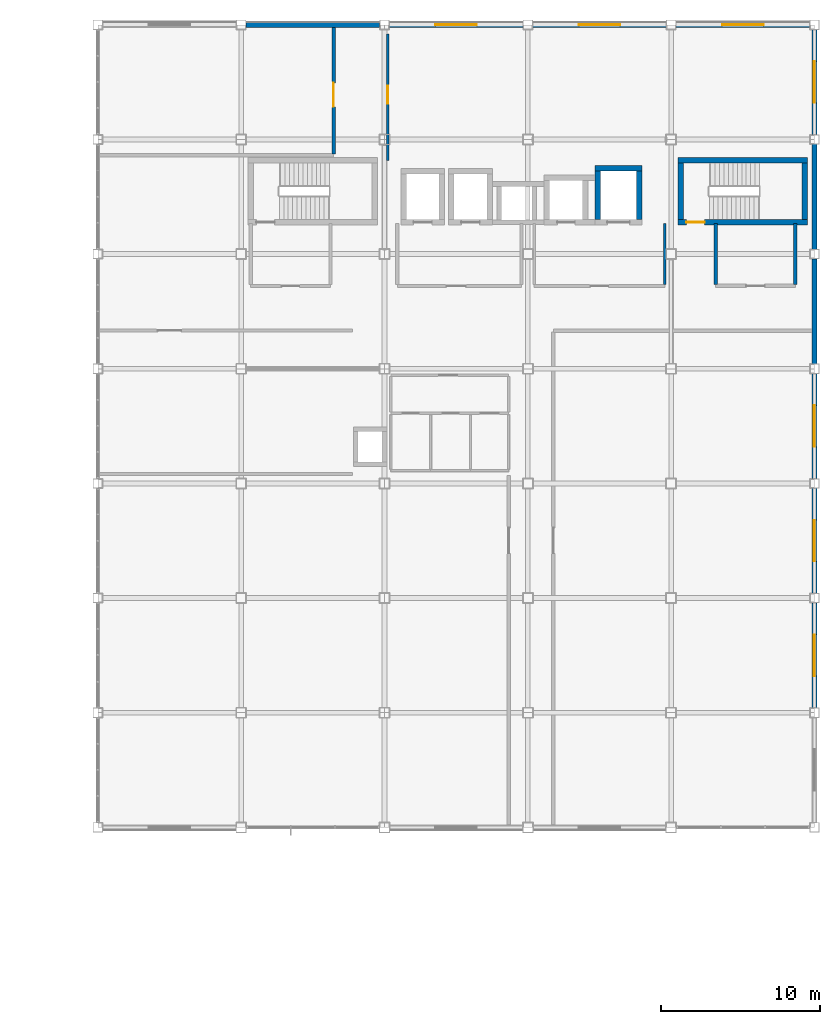
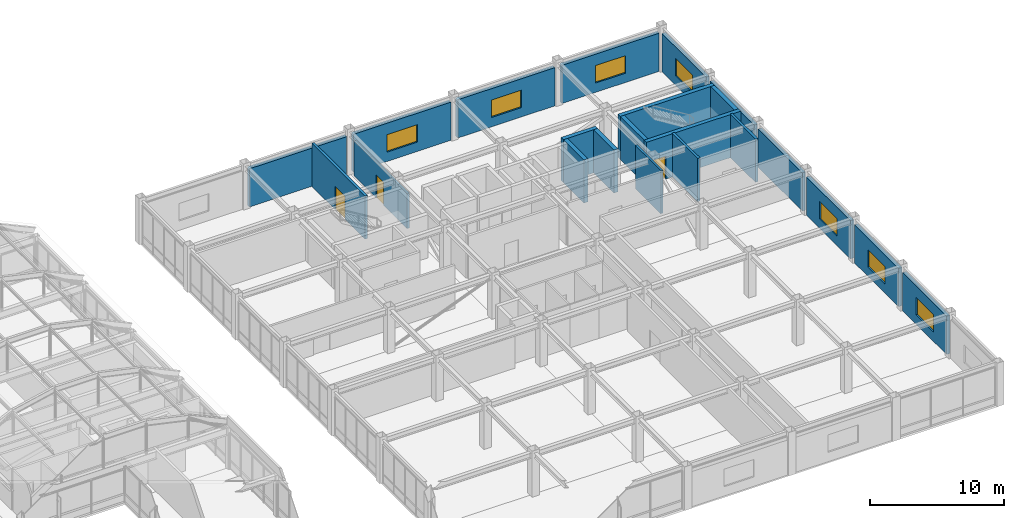
# One storey, part 91 of 106: 22 walls, 7 windows, 3 doors, 10 openings.
"""IFC4 building model written with IfcOpenShell, lengths in metres."""

import ifcopenshell
import ifcopenshell.guid

model = None  # the IFC model being written
_history = None  # IfcOwnerHistory: only IFC2X3 demands one
_inside = {}  # id of a spatial element -> (the spatial element, [elements in it])
_under = {}  # id of a project, library or spatial element -> (it, [spatial elements below it])
_declared = {}  # id of a project -> (the project, [libraries it declares])
_typed = {}  # id of a type object -> (the type object, [elements of that type])
_made_of = {}  # id of a material, layer set ... -> (it, [elements and type objects made of it])


def new_model(schema):
    """Start an empty IFC model of exactly this schema.

    Asked for "IFC4X3", IfcOpenShell would pick the latest addendum, in which some entities
    have other attributes; the version numbers below select the first issue.
    IFC2X3 requires an IfcOwnerHistory on every rooted entity: one is made here for all.
    """
    global model, _history
    if schema == "IFC4X3":
        model = ifcopenshell.file(schema_version=(4, 3, 0, 0))
    else:
        model = ifcopenshell.file(schema=schema)
    _inside.clear()
    _under.clear()
    _declared.clear()
    _typed.clear()
    _made_of.clear()
    _history = None
    if model.schema == "IFC2X3":
        org = make("IfcOrganization", Name="unknown")
        user = make(
            "IfcPersonAndOrganization",
            ThePerson=make("IfcPerson", FamilyName="unknown"),
            TheOrganization=org,
        )
        app = make(
            "IfcApplication",
            ApplicationDeveloper=org,
            Version="unknown",
            ApplicationFullName="unknown",
            ApplicationIdentifier="unknown",
        )
        _history = make(
            "IfcOwnerHistory",
            OwningUser=user,
            OwningApplication=app,
            ChangeAction="ADDED",
            CreationDate=0,
        )
    return model


def make(cls, **values):
    """One entity of the class cls with the attributes given. An attribute that is None is left unset."""
    return model.create_entity(
        cls, **{name: value for name, value in values.items() if value is not None}
    )


def rooted(cls, **values):
    """An entity with a GlobalId (a new one), such as an element, a storey or a relation."""
    return make(cls, GlobalId=ifcopenshell.guid.new(), OwnerHistory=_history, **values)


def si_unit(unit_type, name, prefix=None):
    """IfcSIUnit, for example si_unit("LENGTHUNIT", "METRE", prefix="MILLI")."""
    return make("IfcSIUnit", UnitType=unit_type, Prefix=prefix, Name=name)


def assignment(units):
    """IfcUnitAssignment: the units of a project."""
    return None if units is None else make("IfcUnitAssignment", Units=units)


def point(xyz):
    """IfcCartesianPoint."""
    return None if xyz is None else make("IfcCartesianPoint", Coordinates=xyz)


def direction(xyz):
    """IfcDirection."""
    return None if xyz is None else make("IfcDirection", DirectionRatios=xyz)


def frame(location, z_axis=None, x_axis=None):
    """IfcAxis2Placement3D, a coordinate frame: its origin and axes. An axis left out is left unset."""
    return make(
        "IfcAxis2Placement3D",
        Location=point(location),
        Axis=direction(z_axis),
        RefDirection=direction(x_axis),
    )


def frame_2d(location, x_axis=None):
    """IfcAxis2Placement2D, a coordinate frame in the plane: its origin and x axis."""
    return make(
        "IfcAxis2Placement2D", Location=point(location), RefDirection=direction(x_axis)
    )


def origin():
    """The frame at (0, 0, 0) with its axes left unset."""
    return frame((0.0, 0.0, 0.0))


def place(relative_to, where):
    """IfcLocalPlacement: puts the frame where relative to a parent placement (None: the world)."""
    return make(
        "IfcLocalPlacement", PlacementRelTo=relative_to, RelativePlacement=where
    )


def context(
    kind, dimensions, precision=None, world=None, true_north=None, identifier=None
):
    """IfcGeometricRepresentationContext, for example the 3D "Model" context."""
    return make(
        "IfcGeometricRepresentationContext",
        ContextIdentifier=identifier,
        ContextType=kind,
        CoordinateSpaceDimension=dimensions,
        Precision=precision,
        WorldCoordinateSystem=world,
        TrueNorth=true_north,
    )


def subcontext(parent, identifier, kind, view, scale=None):
    """IfcGeometricRepresentationSubContext, for example "Body" below "Model"."""
    return make(
        "IfcGeometricRepresentationSubContext",
        ContextIdentifier=identifier,
        ContextType=kind,
        ParentContext=parent,
        TargetScale=scale,
        TargetView=view,
    )


def project(units=None, contexts=None):
    """IfcProject with its units and contexts."""
    return rooted(
        "IfcProject",
        Name="project",
        RepresentationContexts=contexts,
        UnitsInContext=assignment(units),
    )


def spatial(cls, under=None, at=None, **own):
    """A site, building, storey or space (cls), placed at a placement, below another one or the project."""
    s = rooted(cls, ObjectPlacement=at, **own)
    if under is not None:
        _under.setdefault(under.id(), (under, []))[1].append(s)
    return s


def profile(cls, at=None, kind="AREA", **sizes):
    """A parametric profile (cls). Its sizes go by their IFC names, for example OverallWidth=200.0."""
    return make(cls, ProfileType=kind, Position=at, **sizes)


def rectangle(**sizes):
    """IfcRectangleProfileDef."""
    return profile("IfcRectangleProfileDef", **sizes)


def extrude(swept, where, along, depth):
    """IfcExtrudedAreaSolid: the profile swept, set in the frame where, extruded along a direction by depth."""
    return make(
        "IfcExtrudedAreaSolid",
        SweptArea=swept,
        Position=where,
        ExtrudedDirection=direction(along),
        Depth=depth,
    )


def shape(context_of_items, identifier, shape_type, items):
    """IfcShapeRepresentation: the items that make up one representation, for example the "Body"."""
    return make(
        "IfcShapeRepresentation",
        ContextOfItems=context_of_items,
        RepresentationIdentifier=identifier,
        RepresentationType=shape_type,
        Items=items,
    )


def material(Name=None, Category=None):
    """IfcMaterial."""
    return make("IfcMaterial", Name=Name, Category=Category)


def layer(
    of_material, thickness, ventilated=None, Name=None, Category=None, Priority=None
):
    """IfcMaterialLayer: one layer of a wall or slab, of a material (None: an air gap)."""
    return make(
        "IfcMaterialLayer",
        Material=of_material,
        LayerThickness=thickness,
        IsVentilated=ventilated,
        Name=Name,
        Category=Category,
        Priority=Priority,
    )


def layer_set(layers, Name=None):
    """IfcMaterialLayerSet."""
    return make("IfcMaterialLayerSet", MaterialLayers=layers, LayerSetName=Name)


def made_of(thing, what):
    """Note that an element or type object is made of a material, layer set ...; save() writes the relation."""
    if what is not None:
        _made_of.setdefault(what.id(), (what, []))[1].append(thing)
    return thing


def type_object(cls, material=None, **own):
    """A type object (cls), such as IfcWallType, which elements share."""
    return made_of(rooted(cls, **own), material)


def element(
    cls,
    number,
    at=None,
    inside=None,
    cuts=None,
    type_object=None,
    material=None,
    context=None,
    identifier="Body",
    shape_type=None,
    held_by="IfcProductDefinitionShape",
    body=None,
    shapes=None,
    **own,
):
    """One element of the class cls, such as IfcWall. Its Tag is "e" and its number.

    at: its placement. inside: the storey or other place that contains it. cuts: it is an
    opening in that element (IfcRelVoidsElement). A single representation is given by context,
    identifier, shape_type and body (its items); several are given by shapes. held_by: the class
    of the entity that holds the representations. save() writes the other relations.
    """
    e = rooted(cls, Tag="e%d" % number, ObjectPlacement=at, **own)
    if body is not None:
        shapes = [shape(context, identifier, shape_type, body)]
    if shapes is not None:
        e.Representation = make(held_by, Representations=shapes)
    if inside is not None:
        _inside.setdefault(inside.id(), (inside, []))[1].append(e)
    if cuts is not None:
        rooted(
            "IfcRelVoidsElement", RelatingBuildingElement=cuts, RelatedOpeningElement=e
        )
    if type_object is not None:
        _typed.setdefault(type_object.id(), (type_object, []))[1].append(e)
    return made_of(e, material)


def fill(opening, filler):
    """IfcRelFillsElement: the door or window that sits in an opening."""
    return rooted(
        "IfcRelFillsElement",
        RelatingOpeningElement=opening,
        RelatedBuildingElement=filler,
    )


def aggregate(whole, parts):
    """IfcRelAggregates: a whole, such as a stair, and the parts it consists of."""
    return rooted("IfcRelAggregates", RelatingObject=whole, RelatedObjects=parts)


def save(model, path):
    """Write the relations noted so far, then the file.

    IfcRelAggregates (storeys below a building ...), IfcRelContainedInSpatialStructure (elements
    in a storey), IfcRelDefinesByType, IfcRelAssociatesMaterial and IfcRelDeclares: one each for
    every whole, place, type object, material and project.
    """
    for whole, parts in _under.values():
        aggregate(whole, parts)
    for where, things in _inside.values():
        rooted(
            "IfcRelContainedInSpatialStructure",
            RelatedElements=things,
            RelatingStructure=where,
        )
    for kind, things in _typed.values():
        rooted("IfcRelDefinesByType", RelatedObjects=things, RelatingType=kind)
    for what, things in _made_of.values():
        rooted("IfcRelAssociatesMaterial", RelatedObjects=things, RelatingMaterial=what)
    for by, libraries in _declared.values():
        rooted("IfcRelDeclares", RelatingContext=by, RelatedDefinitions=libraries)
    model.write(path)


model = new_model("IFC4")

# Units and contexts
model_context = context("Model", 3, precision=1e-05, world=origin(), true_north=direction((0.0, 1.0)))
body_context = subcontext(model_context, "Body", "Model", "MODEL_VIEW")
ifc_project = project(units=[si_unit("LENGTHUNIT", "METRE"), si_unit("AREAUNIT", "SQUARE_METRE"), si_unit("VOLUMEUNIT", "CUBIC_METRE"), si_unit("PLANEANGLEUNIT", "RADIAN"), si_unit("MASSUNIT", "GRAM", prefix="KILO")], contexts=[model_context])

# Site, building, storey
site_placement = place(None, origin())
site = spatial("IfcSite", under=ifc_project, at=site_placement, CompositionType="ELEMENT")
building_placement = place(site_placement, origin())
building = spatial("IfcBuilding", under=site, at=building_placement, Name="Kazanami Central Library", CompositionType="ELEMENT")
storey_placement = place(building_placement, frame((0.0, 0.0, 12.800048828125)))
storey = spatial("IfcBuildingStorey", under=building, at=storey_placement, Name="L04", CompositionType="ELEMENT", Elevation=12.800048828125)

# Wall, opening, window
ifc_material_1 = material(Name="Concrete Fc36 (36 MPa)", Category="concrete")
ifc_layer_1 = layer(ifc_material_1, 0.219970703125, Name="Concrete Fc36 (36 MPa)")
ifc_material_2 = material(Name="Extruded Polystyrene XPS", Category="earth")
ifc_layer_2 = layer(ifc_material_2, 0.050048828125, Name="Extruded Polystyrene XPS")
ifc_material_3 = material(Name="Honed Inada Granite", Category="masonry")
ifc_layer_3 = layer(ifc_material_3, 0.030029296875, Name="Honed Inada Granite")
ifc_layer_set_1 = layer_set([ifc_layer_1, ifc_layer_2, ifc_layer_3], Name="Concrete Fc36 (36 MPa)")
wall_type_1 = type_object("IfcWallType", Name="WAL-EW-300", PredefinedType="STANDARD", material=ifc_layer_set_1)
wall_1_placement = place(storey_placement, frame((162.0, 57.300048828125, 0.0), z_axis=(0.0, 0.0, 1.0), x_axis=(0.0, -1.0, 0.0)))
wall_1 = element("IfcWall", 1, at=wall_1_placement, inside=storey, type_object=wall_type_1, Name="Exterior Facade Wall EW-300 L04 E-19-07", PredefinedType="STANDARD", context=body_context, shape_type="SweptSolid", body=[
    extrude(rectangle(XDim=6.60009765625, YDim=0.300048828125, at=frame_2d((3.300048828125, 0.0))), origin(), (0.0, 0.0, 1.0), 3.489990234375),
])
opening_1_placement = place(wall_1_placement, frame((2.0, 0.0, 0.85009765625)))
opening_1 = element("IfcOpeningElement", 2, at=opening_1_placement, cuts=wall_1, Name="Opening WN-13", PredefinedType="OPENING", context=body_context, shape_type="SweptSolid", body=[
    extrude(rectangle(XDim=2.60009765625, YDim=1.60009765625, at=frame_2d((1.300048828125, 0.800048828125))), frame((0.0, 0.162109375, 0.0), z_axis=(0.0, -1.0, 0.0), x_axis=(1.0, 0.0, 0.0)), (0.0, 0.0, 1.0), 0.323974609375),
])
ifc_material_4 = material(Name="Low-E Insulated Triple Glass", Category="glass")
window_type = type_object("IfcWindowType", Name="WIN-WN-13", PartitioningType="DOUBLE_PANEL_VERTICAL", PredefinedType="WINDOW", material=ifc_material_4)
window_1_placement = place(opening_1_placement, origin())
window_1 = element("IfcWindow", 3, at=window_1_placement, inside=storey, type_object=window_type, Name="Facade Window WN-13 L04 E-19-07", OverallHeight=1.60009765625, OverallWidth=2.60009765625, PartitioningType="DOUBLE_PANEL_VERTICAL", PredefinedType="WINDOW", context=body_context, shape_type="SweptSolid", body=[
    extrude(rectangle(XDim=2.60009765625, YDim=1.60009765625, at=frame_2d((1.300048828125, 0.800048828125))), frame((0.0, 0.030029296875, 0.0), z_axis=(0.0, -1.0, 0.0), x_axis=(1.0, 0.0, 0.0)), (0.0, 0.0, 1.0), 0.06005859375),
])
fill(opening_1, window_1)

wall_2_placement = place(storey_placement, frame((162.0, 64.5, 0.0), z_axis=(0.0, 0.0, 1.0), x_axis=(0.0, -1.0, 0.0)))
wall_2 = element("IfcWall", 4, at=wall_2_placement, inside=storey, type_object=wall_type_1, Name="Exterior Facade Wall EW-300 L04 E-19-08", PredefinedType="STANDARD", context=body_context, shape_type="SweptSolid", body=[
    extrude(rectangle(XDim=6.60009765625, YDim=0.300048828125, at=frame_2d((3.300048828125, 0.0))), origin(), (0.0, 0.0, 1.0), 3.489990234375),
])
opening_2_placement = place(wall_2_placement, frame((2.0, 0.0, 0.85009765625)))
opening_2 = element("IfcOpeningElement", 5, at=opening_2_placement, cuts=wall_2, Name="Opening WN-13", PredefinedType="OPENING", context=body_context, shape_type="SweptSolid", body=[
    extrude(rectangle(XDim=2.60009765625, YDim=1.60009765625, at=frame_2d((1.300048828125, 0.800048828125))), frame((0.0, 0.162109375, 0.0), z_axis=(0.0, -1.0, 0.0), x_axis=(1.0, 0.0, 0.0)), (0.0, 0.0, 1.0), 0.323974609375),
])
window_2_placement = place(opening_2_placement, origin())
window_2 = element("IfcWindow", 6, at=window_2_placement, inside=storey, type_object=window_type, Name="Facade Window WN-13 L04 E-19-08", OverallHeight=1.60009765625, OverallWidth=2.60009765625, PartitioningType="DOUBLE_PANEL_VERTICAL", PredefinedType="WINDOW", context=body_context, shape_type="SweptSolid", body=[
    extrude(rectangle(XDim=2.60009765625, YDim=1.60009765625, at=frame_2d((1.300048828125, 0.800048828125))), frame((0.0, 0.030029296875, 0.0), z_axis=(0.0, -1.0, 0.0), x_axis=(1.0, 0.0, 0.0)), (0.0, 0.0, 1.0), 0.06005859375),
])
fill(opening_2, window_2)

wall_3_placement = place(storey_placement, frame((162.0, 71.699951171875, 0.0), z_axis=(0.0, 0.0, 1.0), x_axis=(0.0, -1.0, 0.0)))
wall_3 = element("IfcWall", 7, at=wall_3_placement, inside=storey, type_object=wall_type_1, Name="Exterior Facade Wall EW-300 L04 E-19-09", PredefinedType="STANDARD", context=body_context, shape_type="SweptSolid", body=[
    extrude(rectangle(XDim=6.599853515625, YDim=0.300048828125, at=frame_2d((3.2998046875, 0.0))), origin(), (0.0, 0.0, 1.0), 3.489990234375),
])
opening_3_placement = place(wall_3_placement, frame((2.0, 0.0, 0.85009765625)))
opening_3 = element("IfcOpeningElement", 8, at=opening_3_placement, cuts=wall_3, Name="Opening WN-13", PredefinedType="OPENING", context=body_context, shape_type="SweptSolid", body=[
    extrude(rectangle(XDim=2.60009765625, YDim=1.60009765625, at=frame_2d((1.300048828125, 0.800048828125))), frame((0.0, 0.162109375, 0.0), z_axis=(0.0, -1.0, 0.0), x_axis=(1.0, 0.0, 0.0)), (0.0, 0.0, 1.0), 0.323974609375),
])
window_3_placement = place(opening_3_placement, origin())
window_3 = element("IfcWindow", 9, at=window_3_placement, inside=storey, type_object=window_type, Name="Facade Window WN-13 L04 E-19-09", OverallHeight=1.60009765625, OverallWidth=2.60009765625, PartitioningType="DOUBLE_PANEL_VERTICAL", PredefinedType="WINDOW", context=body_context, shape_type="SweptSolid", body=[
    extrude(rectangle(XDim=2.60009765625, YDim=1.60009765625, at=frame_2d((1.300048828125, 0.800048828125))), frame((0.0, 0.030029296875, 0.0), z_axis=(0.0, -1.0, 0.0), x_axis=(1.0, 0.0, 0.0)), (0.0, 0.0, 1.0), 0.06005859375),
])
fill(opening_3, window_3)

# Walls
wall_4_placement = place(storey_placement, frame((162.0, 78.89990234375, 0.0), z_axis=(0.0, 0.0, 1.0), x_axis=(0.0, -1.0, 0.0)))
element("IfcWall", 10, at=wall_4_placement, inside=storey, type_object=wall_type_1, Name="Exterior Facade Wall EW-300 L04 E-19-10", PredefinedType="STANDARD", context=body_context, shape_type="SweptSolid", body=[
    extrude(rectangle(XDim=6.599853515625, YDim=0.300048828125, at=frame_2d((3.2998046875, 0.0))), origin(), (0.0, 0.0, 1.0), 3.489990234375),
])
wall_5_placement = place(storey_placement, frame((162.0, 86.10009765625, 0.0), z_axis=(0.0, 0.0, 1.0), x_axis=(0.0, -1.0, 0.0)))
element("IfcWall", 11, at=wall_5_placement, inside=storey, type_object=wall_type_1, Name="Exterior Facade Wall EW-300 L04 E-19-11", PredefinedType="STANDARD", context=body_context, shape_type="SweptSolid", body=[
    extrude(rectangle(XDim=6.60009765625, YDim=0.300048828125, at=frame_2d((3.300048828125, 0.0))), origin(), (0.0, 0.0, 1.0), 3.489990234375),
])

# Wall, opening, window
wall_6_placement = place(storey_placement, frame((162.0, 93.300048828125, 0.0), z_axis=(0.0, 0.0, 1.0), x_axis=(0.0, -1.0, 0.0)))
wall_6 = element("IfcWall", 12, at=wall_6_placement, inside=storey, type_object=wall_type_1, Name="Exterior Facade Wall EW-300 L04 E-19-12", PredefinedType="STANDARD", context=body_context, shape_type="SweptSolid", body=[
    extrude(rectangle(XDim=6.60009765625, YDim=0.300048828125, at=frame_2d((3.300048828125, 0.0))), origin(), (0.0, 0.0, 1.0), 3.489990234375),
])
opening_4_placement = place(wall_6_placement, frame((2.0, 0.0, 0.85009765625)))
opening_4 = element("IfcOpeningElement", 13, at=opening_4_placement, cuts=wall_6, Name="Opening WN-13", PredefinedType="OPENING", context=body_context, shape_type="SweptSolid", body=[
    extrude(rectangle(XDim=2.60009765625, YDim=1.60009765625, at=frame_2d((1.300048828125, 0.800048828125))), frame((0.0, 0.162109375, 0.0), z_axis=(0.0, -1.0, 0.0), x_axis=(1.0, 0.0, 0.0)), (0.0, 0.0, 1.0), 0.323974609375),
])
window_4_placement = place(opening_4_placement, origin())
window_4 = element("IfcWindow", 14, at=window_4_placement, inside=storey, type_object=window_type, Name="Facade Window WN-13 L04 E-19-12", OverallHeight=1.60009765625, OverallWidth=2.60009765625, PartitioningType="DOUBLE_PANEL_VERTICAL", PredefinedType="WINDOW", context=body_context, shape_type="SweptSolid", body=[
    extrude(rectangle(XDim=2.60009765625, YDim=1.60009765625, at=frame_2d((1.300048828125, 0.800048828125))), frame((0.0, 0.030029296875, 0.0), z_axis=(0.0, -1.0, 0.0), x_axis=(1.0, 0.0, 0.0)), (0.0, 0.0, 1.0), 0.06005859375),
])
fill(opening_4, window_4)

# Wall
ifc_layer_4 = layer(ifc_material_1, 0.239990234375, Name="Concrete Fc36 (36 MPa)")
ifc_layer_5 = layer(ifc_material_2, 0.050048828125, Name="Extruded Polystyrene XPS")
ifc_layer_6 = layer(ifc_material_3, 0.030029296875, Name="Honed Inada Granite")
ifc_layer_set_2 = layer_set([ifc_layer_4, ifc_layer_5, ifc_layer_6], Name="Concrete Fc36 (36 MPa)")
wall_type_2 = type_object("IfcWallType", Name="WAL-EW-320", PredefinedType="STANDARD", material=ifc_layer_set_2)
wall_7_placement = place(storey_placement, frame((134.699951171875, 93.60009765625, 0.0), z_axis=(0.0, 0.0, 1.0), x_axis=(-1.0, 0.0, 0.0)))
element("IfcWall", 15, at=wall_7_placement, inside=storey, type_object=wall_type_2, Name="Exterior Facade Wall EW-320 L04 N-O-14", PredefinedType="STANDARD", context=body_context, shape_type="SweptSolid", body=[
    extrude(rectangle(XDim=8.39990234375, YDim=0.320068359375, at=frame_2d((4.199951171875, 0.0))), origin(), (0.0, 0.0, 1.0), 3.489990234375),
])

# Wall, opening, window
wall_8_placement = place(storey_placement, frame((143.699951171875, 93.60009765625, 0.0), z_axis=(0.0, 0.0, 1.0), x_axis=(-1.0, 0.0, 0.0)))
wall_8 = element("IfcWall", 16, at=wall_8_placement, inside=storey, type_object=wall_type_2, Name="Exterior Facade Wall EW-320 L04 N-O-15", PredefinedType="STANDARD", context=body_context, shape_type="SweptSolid", body=[
    extrude(rectangle(XDim=8.39990234375, YDim=0.320068359375, at=frame_2d((4.199951171875, 0.0))), origin(), (0.0, 0.0, 1.0), 3.489990234375),
])
opening_5_placement = place(wall_8_placement, frame((2.89990234375, 0.0, 0.85009765625)))
opening_5 = element("IfcOpeningElement", 17, at=opening_5_placement, cuts=wall_8, Name="Opening WN-13", PredefinedType="OPENING", context=body_context, shape_type="SweptSolid", body=[
    extrude(rectangle(XDim=2.60009765625, YDim=1.60009765625, at=frame_2d((1.300048828125, 0.800048828125))), frame((0.0, 0.171875, 0.0), z_axis=(0.0, -1.0, 0.0), x_axis=(1.0, 0.0, 0.0)), (0.0, 0.0, 1.0), 0.343994140625),
])
window_5_placement = place(opening_5_placement, origin())
window_5 = element("IfcWindow", 18, at=window_5_placement, inside=storey, type_object=window_type, Name="Facade Window WN-13 L04 N-O-15", OverallHeight=1.60009765625, OverallWidth=2.60009765625, PartitioningType="DOUBLE_PANEL_VERTICAL", PredefinedType="WINDOW", context=body_context, shape_type="SweptSolid", body=[
    extrude(rectangle(XDim=2.60009765625, YDim=1.60009765625, at=frame_2d((1.300048828125, 0.800048828125))), frame((0.0, 0.030029296875, 0.0), z_axis=(0.0, -1.0, 0.0), x_axis=(1.0, 0.0, 0.0)), (0.0, 0.0, 1.0), 0.06005859375),
])
fill(opening_5, window_5)

wall_9_placement = place(storey_placement, frame((152.699951171875, 93.60009765625, 0.0), z_axis=(0.0, 0.0, 1.0), x_axis=(-1.0, 0.0, 0.0)))
wall_9 = element("IfcWall", 19, at=wall_9_placement, inside=storey, type_object=wall_type_2, Name="Exterior Facade Wall EW-320 L04 N-O-16", PredefinedType="STANDARD", context=body_context, shape_type="SweptSolid", body=[
    extrude(rectangle(XDim=8.39990234375, YDim=0.320068359375, at=frame_2d((4.199951171875, 0.0))), origin(), (0.0, 0.0, 1.0), 3.489990234375),
])
opening_6_placement = place(wall_9_placement, frame((2.89990234375, 0.0, 0.85009765625)))
opening_6 = element("IfcOpeningElement", 20, at=opening_6_placement, cuts=wall_9, Name="Opening WN-13", PredefinedType="OPENING", context=body_context, shape_type="SweptSolid", body=[
    extrude(rectangle(XDim=2.60009765625, YDim=1.60009765625, at=frame_2d((1.300048828125, 0.800048828125))), frame((0.0, 0.171875, 0.0), z_axis=(0.0, -1.0, 0.0), x_axis=(1.0, 0.0, 0.0)), (0.0, 0.0, 1.0), 0.343994140625),
])
window_6_placement = place(opening_6_placement, origin())
window_6 = element("IfcWindow", 21, at=window_6_placement, inside=storey, type_object=window_type, Name="Facade Window WN-13 L04 N-O-16", OverallHeight=1.60009765625, OverallWidth=2.60009765625, PartitioningType="DOUBLE_PANEL_VERTICAL", PredefinedType="WINDOW", context=body_context, shape_type="SweptSolid", body=[
    extrude(rectangle(XDim=2.60009765625, YDim=1.60009765625, at=frame_2d((1.300048828125, 0.800048828125))), frame((0.0, 0.030029296875, 0.0), z_axis=(0.0, -1.0, 0.0), x_axis=(1.0, 0.0, 0.0)), (0.0, 0.0, 1.0), 0.06005859375),
])
fill(opening_6, window_6)

wall_10_placement = place(storey_placement, frame((161.699951171875, 93.60009765625, 0.0), z_axis=(0.0, 0.0, 1.0), x_axis=(-1.0, 0.0, 0.0)))
wall_10 = element("IfcWall", 22, at=wall_10_placement, inside=storey, type_object=wall_type_2, Name="Exterior Facade Wall EW-320 L04 N-O-17", PredefinedType="STANDARD", context=body_context, shape_type="SweptSolid", body=[
    extrude(rectangle(XDim=8.39990234375, YDim=0.320068359375, at=frame_2d((4.199951171875, 0.0))), origin(), (0.0, 0.0, 1.0), 3.489990234375),
])
opening_7_placement = place(wall_10_placement, frame((2.89990234375, 0.0, 0.85009765625)))
opening_7 = element("IfcOpeningElement", 23, at=opening_7_placement, cuts=wall_10, Name="Opening WN-13", PredefinedType="OPENING", context=body_context, shape_type="SweptSolid", body=[
    extrude(rectangle(XDim=2.60009765625, YDim=1.60009765625, at=frame_2d((1.300048828125, 0.800048828125))), frame((0.0, 0.171875, 0.0), z_axis=(0.0, -1.0, 0.0), x_axis=(1.0, 0.0, 0.0)), (0.0, 0.0, 1.0), 0.343994140625),
])
window_7_placement = place(opening_7_placement, origin())
window_7 = element("IfcWindow", 24, at=window_7_placement, inside=storey, type_object=window_type, Name="Facade Window WN-13 L04 N-O-17", OverallHeight=1.60009765625, OverallWidth=2.60009765625, PartitioningType="DOUBLE_PANEL_VERTICAL", PredefinedType="WINDOW", context=body_context, shape_type="SweptSolid", body=[
    extrude(rectangle(XDim=2.60009765625, YDim=1.60009765625, at=frame_2d((1.300048828125, 0.800048828125))), frame((0.0, 0.030029296875, 0.0), z_axis=(0.0, -1.0, 0.0), x_axis=(1.0, 0.0, 0.0)), (0.0, 0.0, 1.0), 0.06005859375),
])
fill(opening_7, window_7)

# Wall
ifc_material_5 = material(Name="Fire-Resistant Gypsum Board GB-F", Category="gypsum")
ifc_layer_7 = layer(ifc_material_5, 0.179931640625, Name="Fire-Resistant Gypsum Board GB-F")
ifc_layer_set_3 = layer_set([ifc_layer_7], Name="Fire-Resistant Gypsum Board GB-F")
wall_type_3 = type_object("IfcWallType", Name="WAL-FW-180", PredefinedType="PARTITIONING", material=ifc_layer_set_3)
wall_11_placement = place(storey_placement, frame((152.60009765625, 77.2900390625, 0.0), z_axis=(0.0, 0.0, 1.0), x_axis=(0.0, 1.0, 0.0)))
element("IfcWall", 25, at=wall_11_placement, inside=storey, type_object=wall_type_3, Name="Interior Partition FW-180 L04 LOBBY-V2 (East)", PredefinedType="PARTITIONING", context=body_context, shape_type="SweptSolid", body=[
    extrude(rectangle(XDim=3.820068359375, YDim=0.179931640625, at=frame_2d((1.91015625, 0.0))), origin(), (0.0, 0.0, 1.0), 3.93994140625),
])

# Wall, opening, door
wall_12_placement = place(storey_placement, frame((135.199951171875, 85.090087890625, 0.0), z_axis=(0.0, 0.0, 1.0), x_axis=(0.0, 1.0, 0.0)))
wall_12 = element("IfcWall", 26, at=wall_12_placement, inside=storey, type_object=wall_type_3, Name="Interior Partition FW-180 L04 RM-30 (West)", PredefinedType="PARTITIONING", context=body_context, shape_type="SweptSolid", body=[
    extrude(rectangle(XDim=7.9248046875, YDim=0.179931640625, at=frame_2d((3.96240234375, 0.0))), origin(), (0.0, 0.0, 1.0), 3.219970703125),
])
opening_8_placement = place(wall_12_placement, frame((3.550048828125, 0.0, 0.0)))
opening_8 = element("IfcOpeningElement", 27, at=opening_8_placement, cuts=wall_12, Name="Opening FD30-8", PredefinedType="OPENING", context=body_context, shape_type="SweptSolid", body=[
    extrude(rectangle(XDim=1.1201171875, YDim=2.080078125, at=frame_2d((0.56005859375, 1.0400390625))), frame((0.0, 0.10205078125, 0.0), z_axis=(0.0, -1.0, 0.0), x_axis=(1.0, 0.0, 0.0)), (0.0, 0.0, 1.0), 0.203857421875),
])
ifc_material_6 = material(Name="Cold-Rolled Steel SPCC", Category="steel")
door_type_1 = type_object("IfcDoorType", Name="DOR-FD30-8", OperationType="NOTDEFINED", PredefinedType="DOOR", material=ifc_material_6)
door_1_placement = place(opening_8_placement, origin())
door_1 = element("IfcDoor", 28, at=door_1_placement, inside=storey, type_object=door_type_1, Name="Interior Door FD30-8 L04 RM-30", OperationType="SINGLE_SWING_LEFT", OverallHeight=2.080078125, OverallWidth=1.1201171875, PredefinedType="DOOR", context=body_context, shape_type="SweptSolid", body=[
    extrude(rectangle(XDim=1.1201171875, YDim=2.080078125, at=frame_2d((0.56005859375, 1.0400390625))), frame((0.0, 0.02490234375, 0.0), z_axis=(0.0, -1.0, 0.0), x_axis=(1.0, 0.0, 0.0)), (0.0, 0.0, 1.0), 0.050048828125),
])
fill(opening_8, door_1)

# Walls
ifc_layer_8 = layer(ifc_material_5, 0.219970703125, Name="Fire-Resistant Gypsum Board GB-F")
ifc_layer_set_4 = layer_set([ifc_layer_8], Name="Fire-Resistant Gypsum Board GB-F")
wall_type_4 = type_object("IfcWallType", Name="WAL-FW-220", PredefinedType="PARTITIONING", material=ifc_layer_set_4)
for number, where, z_axis, x_axis, name in (
    (29, (155.800048828125, 77.2900390625, 0.0), (0.0, 0.0, 1.0), (0.0, 1.0, 0.0), "Interior Partition FW-220 L04 VEST-ST-02 (West)"),
    (30, (160.800048828125, 77.2900390625, 0.0), (0.0, 0.0, 1.0), (0.0, 1.0, 0.0), "Interior Partition FW-220 L04 VEST-ST-02 (East)"),
):
    element("IfcWall", number, at=place(storey_placement, frame(where, z_axis=z_axis, x_axis=x_axis)), inside=storey, type_object=wall_type_4, Name=name, PredefinedType="PARTITIONING", context=body_context, shape_type="SweptSolid", body=[
        extrude(rectangle(XDim=3.820068359375, YDim=0.219970703125, at=frame_2d((1.91015625, 0.0))), origin(), (0.0, 0.0, 1.0), 3.93994140625),
    ])

# Wall, opening, door
wall_13_placement = place(storey_placement, frame((131.800048828125, 85.489990234375, 0.0), z_axis=(0.0, 0.0, 1.0), x_axis=(0.0, 1.0, 0.0)))
wall_13 = element("IfcWall", 31, at=wall_13_placement, inside=storey, type_object=wall_type_4, Name="Interior Partition FW-220 L04 RM-29 (East)", PredefinedType="PARTITIONING", context=body_context, shape_type="SweptSolid", body=[
    extrude(rectangle(XDim=7.945068359375, YDim=0.219970703125, at=frame_2d((3.97265625, 0.0))), origin(), (0.0, 0.0, 1.0), 3.93994140625),
])
opening_9_placement = place(wall_13_placement, frame((2.9599609375, 0.0, 0.0)))
opening_9 = element("IfcOpeningElement", 32, at=opening_9_placement, cuts=wall_13, Name="Opening FD60-6", PredefinedType="OPENING", context=body_context, shape_type="SweptSolid", body=[
    extrude(rectangle(XDim=1.5, YDim=2.10009765625, at=frame_2d((0.75, 1.050048828125))), frame((0.0, 0.1220703125, 0.0), z_axis=(0.0, -1.0, 0.0), x_axis=(1.0, 0.0, 0.0)), (0.0, 0.0, 1.0), 0.243896484375),
])
door_type_2 = type_object("IfcDoorType", Name="DOR-FD60-6", OperationType="DOUBLE_DOOR_SINGLE_SWING", PredefinedType="DOOR", material=ifc_material_6)
door_2_placement = place(opening_9_placement, origin())
door_2 = element("IfcDoor", 33, at=door_2_placement, inside=storey, type_object=door_type_2, Name="Interior Door FD60-6 L04 RM-29", OperationType="DOUBLE_DOOR_SINGLE_SWING", OverallHeight=2.10009765625, OverallWidth=1.5, PredefinedType="DOOR", context=body_context, shape_type="SweptSolid", body=[
    extrude(rectangle(XDim=1.5, YDim=2.10009765625, at=frame_2d((0.75, 1.050048828125))), frame((0.0, 0.02490234375, 0.0), z_axis=(0.0, -1.0, 0.0), x_axis=(1.0, 0.0, 0.0)), (0.0, 0.0, 1.0), 0.050048828125),
])
fill(opening_9, door_2)

ifc_layer_9 = layer(ifc_material_1, 0.35009765625, Name="Concrete Fc36 (36 MPa)")
ifc_layer_set_5 = layer_set([ifc_layer_9], Name="Concrete Fc36 (36 MPa)")
wall_type_5 = type_object("IfcWallType", Name="WAL-SW-350", PredefinedType="SHEAR", material=ifc_layer_set_5)
wall_14_placement = place(storey_placement, frame((153.425048828125, 81.199951171875, 0.0), z_axis=(0.0, 0.0, 1.0), x_axis=(1.0, 0.0, 0.0)))
wall_14 = element("IfcWall", 34, at=wall_14_placement, inside=storey, type_object=wall_type_5, Name="Stair Core Wall ST-02 South L04", PredefinedType="SHEAR", context=body_context, shape_type="SweptSolid", body=[
    extrude(rectangle(XDim=8.14990234375, YDim=0.35009765625, at=frame_2d((4.074951171875, 0.0))), origin(), (0.0, 0.0, 1.0), 3.93994140625),
])
opening_10_placement = place(wall_14_placement, frame((0.52490234375, 0.0, 0.0)))
opening_10 = element("IfcOpeningElement", 35, at=opening_10_placement, cuts=wall_14, Name="Opening FD60-2", PredefinedType="OPENING", context=body_context, shape_type="SweptSolid", body=[
    extrude(rectangle(XDim=1.14990234375, YDim=2.10009765625, at=frame_2d((0.574951171875, 1.050048828125))), frame((0.0, 0.18701171875, 0.0), z_axis=(0.0, -1.0, 0.0), x_axis=(1.0, 0.0, 0.0)), (0.0, 0.0, 1.0), 0.3740234375),
])
door_type_3 = type_object("IfcDoorType", Name="DOR-FD60-2", OperationType="NOTDEFINED", PredefinedType="DOOR", material=ifc_material_6)
door_3_placement = place(opening_10_placement, origin())
door_3 = element("IfcDoor", 36, at=door_3_placement, inside=storey, type_object=door_type_3, Name="Escape Stair ST-02 Fire Door L04", OperationType="SINGLE_SWING_LEFT", OverallHeight=2.10009765625, OverallWidth=1.14990234375, PredefinedType="DOOR", context=body_context, shape_type="SweptSolid", body=[
    extrude(rectangle(XDim=1.14990234375, YDim=2.10009765625, at=frame_2d((0.574951171875, 1.050048828125))), frame((0.0, 0.02490234375, 0.0), z_axis=(0.0, -1.0, 0.0), x_axis=(1.0, 0.0, 0.0)), (0.0, 0.0, 1.0), 0.050048828125),
])
fill(opening_10, door_3)

# Walls
wall_15_placement = place(storey_placement, frame((153.425048828125, 85.10009765625, 0.0), z_axis=(0.0, 0.0, 1.0), x_axis=(1.0, 0.0, 0.0)))
element("IfcWall", 37, at=wall_15_placement, inside=storey, type_object=wall_type_5, Name="Stair Core Wall ST-02 North L04", PredefinedType="SHEAR", context=body_context, shape_type="SweptSolid", body=[
    extrude(rectangle(XDim=8.14990234375, YDim=0.35009765625, at=frame_2d((4.074951171875, 0.0))), origin(), (0.0, 0.0, 1.0), 3.93994140625),
])
for number, where, z_axis, x_axis, name in (
    (38, (153.60009765625, 81.375, 0.0), (0.0, 0.0, 1.0), (0.0, 1.0, 0.0), "Stair Core Wall ST-02 West L04"),
    (39, (161.39990234375, 81.375, 0.0), (0.0, 0.0, 1.0), (0.0, 1.0, 0.0), "Stair Core Wall ST-02 East L04"),
):
    element("IfcWall", number, at=place(storey_placement, frame(where, z_axis=z_axis, x_axis=x_axis)), inside=storey, type_object=wall_type_5, Name=name, PredefinedType="SHEAR", context=body_context, shape_type="SweptSolid", body=[
        extrude(rectangle(XDim=3.550048828125, YDim=0.35009765625, at=frame_2d((1.77490234375, 0.0))), origin(), (0.0, 0.0, 1.0), 3.93994140625),
    ])
wall_16_placement = place(storey_placement, frame((148.22509765625, 84.60009765625, 0.0), z_axis=(0.0, 0.0, 1.0), x_axis=(1.0, 0.0, 0.0)))
element("IfcWall", 40, at=wall_16_placement, inside=storey, type_object=wall_type_5, Name="Lift Shaft Wall EL-S1 North L04", PredefinedType="SHEAR", context=body_context, shape_type="SweptSolid", body=[
    extrude(rectangle(XDim=2.949951171875, YDim=0.35009765625, at=frame_2d((1.47509765625, 0.0))), origin(), (0.0, 0.0, 1.0), 3.93994140625),
])
for number, where, z_axis, x_axis, name in (
    (41, (148.39990234375, 81.375, 0.0), (0.0, 0.0, 1.0), (0.0, 1.0, 0.0), "Lift Shaft Wall EL-S1 West L04"),
    (42, (151.0, 81.375, 0.0), (0.0, 0.0, 1.0), (0.0, 1.0, 0.0), "Lift Shaft Wall EL-S1 East L04"),
):
    element("IfcWall", number, at=place(storey_placement, frame(where, z_axis=z_axis, x_axis=x_axis)), inside=storey, type_object=wall_type_5, Name=name, PredefinedType="SHEAR", context=body_context, shape_type="SweptSolid", body=[
        extrude(rectangle(XDim=3.050048828125, YDim=0.35009765625, at=frame_2d((1.52490234375, 0.0))), origin(), (0.0, 0.0, 1.0), 3.93994140625),
    ])

save(model, "model.ifc")
